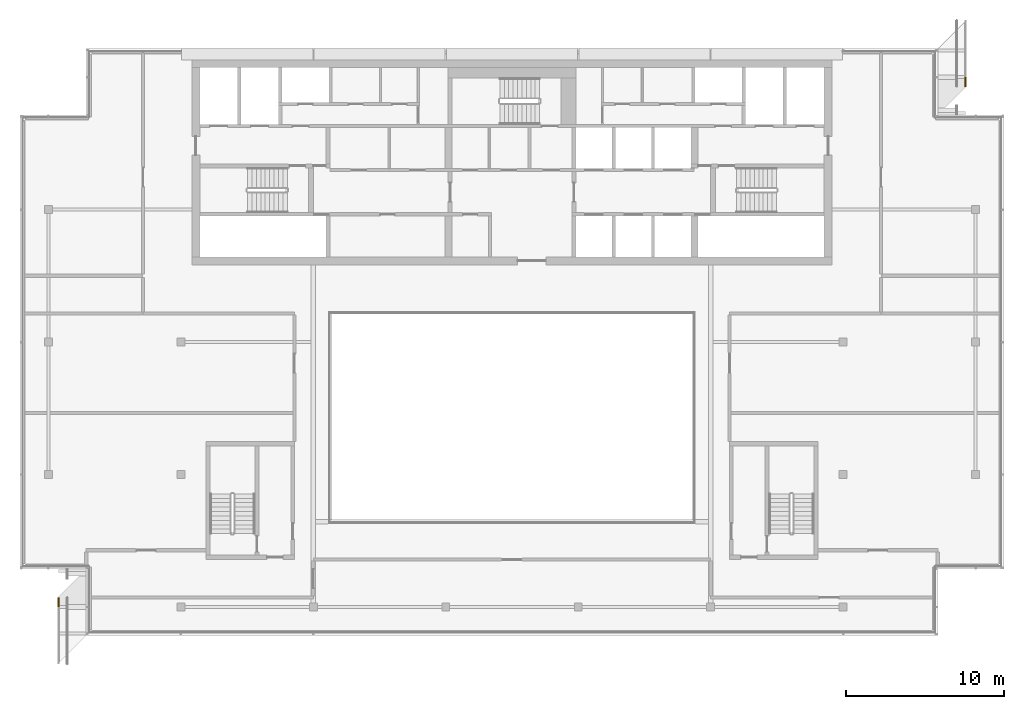
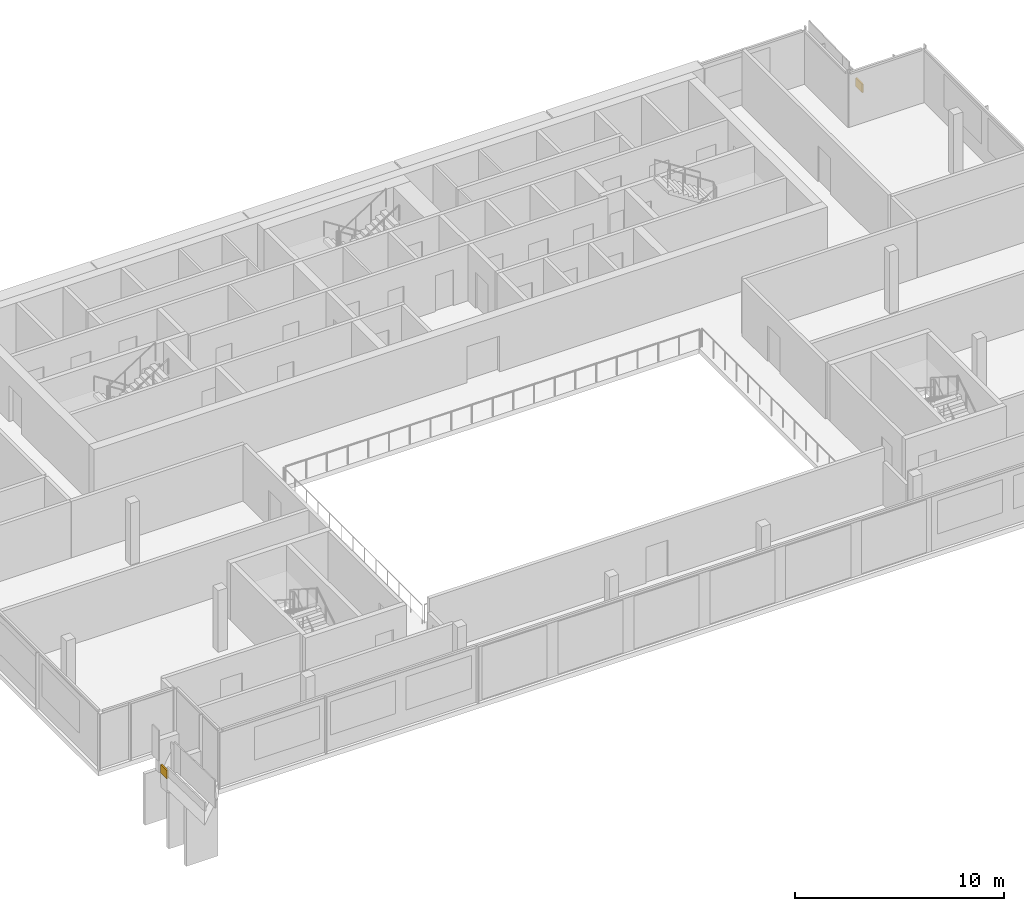
# One storey, part 19 of 19: 2 coverings.
"""IFC4 building model written with IfcOpenShell, lengths in metres."""

from ifc_helpers import new_model, si_unit, direction, frame, origin, place, context, subcontext, project, spatial, polyline, outline, extrude, material, layer, layer_set, type_object, element, save


model = new_model("IFC4")

# Units and contexts
model_context = context("Model", 3, precision=1e-05, world=origin(), true_north=direction((0.0, 1.0)))
body_context = subcontext(model_context, "Body", "Model", "MODEL_VIEW")
ifc_project = project(units=[si_unit("LENGTHUNIT", "METRE"), si_unit("AREAUNIT", "SQUARE_METRE"), si_unit("VOLUMEUNIT", "CUBIC_METRE"), si_unit("PLANEANGLEUNIT", "RADIAN"), si_unit("MASSUNIT", "GRAM", prefix="KILO")], contexts=[model_context])

# Site, building, storey
site_placement = place(None, origin())
site = spatial("IfcSite", under=ifc_project, at=site_placement, CompositionType="ELEMENT")
building_placement = place(site_placement, origin())
building = spatial("IfcBuilding", under=site, at=building_placement, Name="Saffron Gate Tower", CompositionType="ELEMENT")
storey_placement = place(building_placement, frame((0.0, 0.0, 306.75)))
storey = spatial("IfcBuildingStorey", under=building, at=storey_placement, Name="L75", CompositionType="ELEMENT", Elevation=306.75)

# Coverings
ifc_material = material(Name="Timber, thermally modified ash", Category="wood")
ifc_layer = layer(ifc_material, 0.080078125)
ifc_layer_set = layer_set([ifc_layer], Name="LD2 ledge planter trough")
covering_type = type_object("IfcCoveringType", Name="LD2 ledge planter trough", PredefinedType="CLADDING", material=ifc_layer_set)
for number, where, z_axis, x_axis, name in (
    (1, (58.800048828125, 40.800048828125, 0.16162109375), (-1.0, 0.0, 0.0), (0.0, -0.999583081391, 0.028873229772), "LEDGE planter trough"),
    (2, (116.39990234375, 73.199951171875, 0.16162109375), (1.0, 0.0, 0.0), (0.0, 0.999583081391, 0.028873229772), "LEDGE planter trough"),
):
    element("IfcCovering", number, at=place(storey_placement, frame(where, z_axis=z_axis, x_axis=x_axis)), inside=storey, type_object=covering_type, Name=name, PredefinedType="CLADDING", context=body_context, shape_type="SweptSolid", body=[
        extrude(outline(polyline([(0.0, 0.0), (0.6003479524834376, -3.469446951953614e-18), (0.6147845673692678, 0.4997915406953566), (0.014436614885830073, 0.4997915406953566), (0.0, 0.0)])), origin(), (0.0, 0.0, -1.0), 0.080078125),
    ])

save(model, "model.ifc")
